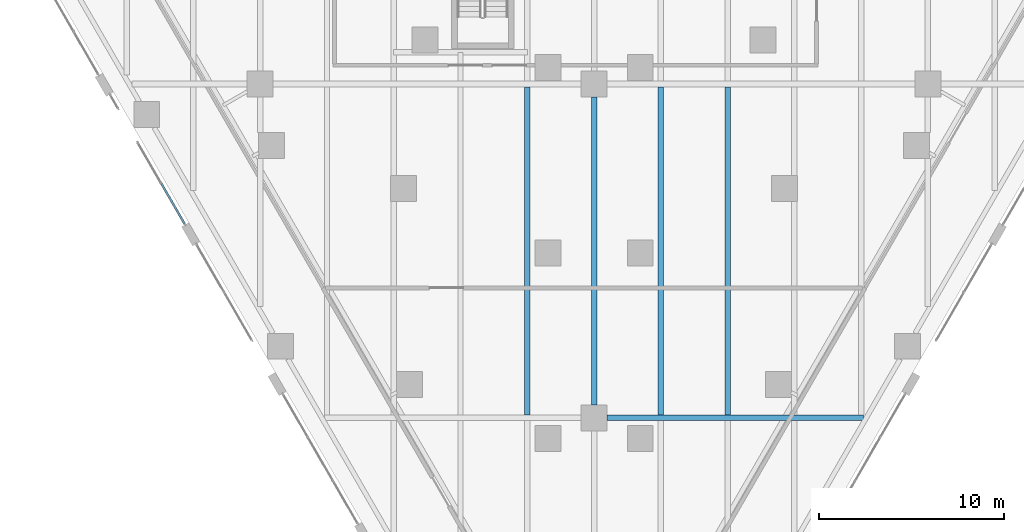
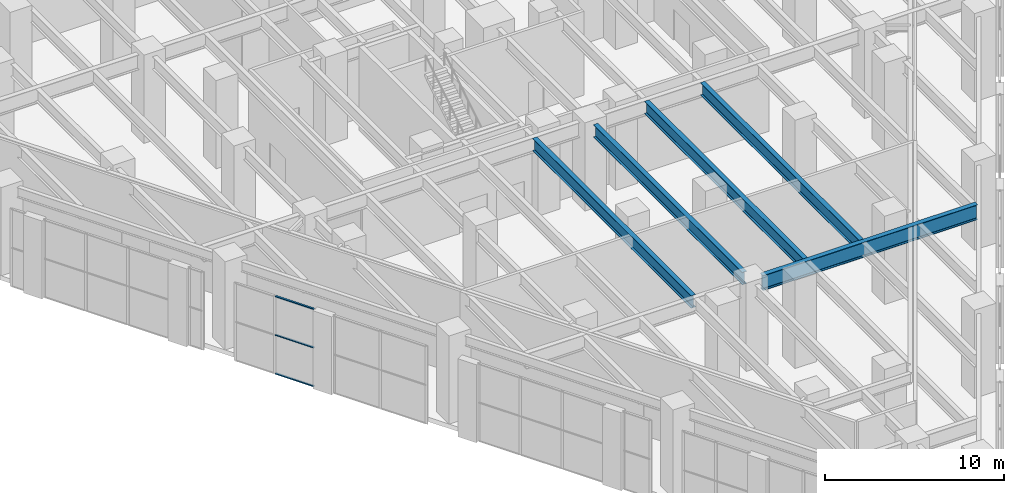
# One storey, part 5 of 37: 5 beams, 3 members, 1 element without a shape of its own.
"""IFC4 building model written with IfcOpenShell, lengths in metres."""

from ifc_helpers import new_model, si_unit, direction, frame, origin, origin_2d, place, context, subcontext, project, spatial, rectangle, i_section, extrude, material, material_profile, profile_set, type_object, element, aggregate, save


model = new_model("IFC4")

# Units and contexts
model_context = context("Model", 3, precision=1e-05, world=origin(), true_north=direction((0.0, 1.0)))
body_context = subcontext(model_context, "Body", "Model", "MODEL_VIEW")
ifc_project = project(units=[si_unit("LENGTHUNIT", "METRE"), si_unit("AREAUNIT", "SQUARE_METRE"), si_unit("VOLUMEUNIT", "CUBIC_METRE"), si_unit("PLANEANGLEUNIT", "RADIAN"), si_unit("MASSUNIT", "GRAM", prefix="KILO")], contexts=[model_context])

# Site, building, storey
site_placement = place(None, origin())
site = spatial("IfcSite", under=ifc_project, at=site_placement, CompositionType="ELEMENT")
building_placement = place(site_placement, origin())
building = spatial("IfcBuilding", under=site, at=building_placement, Name="Aloe Facet Convention Tower", CompositionType="ELEMENT")
storey_placement = place(building_placement, frame((0.0, 0.0, 7.5)))
storey = spatial("IfcBuildingStorey", under=building, at=storey_placement, Name="L01", CompositionType="ELEMENT", Elevation=7.5)

# Curtain wall, members
ifc_material_1 = material(Name="Aluminium, anodised", Category="aluminium")
curtain_wall_type = type_object("IfcCurtainWallType", Name="EV-CW-SHOP", PredefinedType="USERDEFINED", material=ifc_material_1)
curtain_wall_placement = place(storey_placement, origin())
curtain_wall = element("IfcCurtainWall", 1, at=curtain_wall_placement, inside=storey, type_object=curtain_wall_type, Name="CW-L01-W14-2", ObjectType="STICK SHOPFRONT GLAZING", PredefinedType="USERDEFINED")
ifc_material_2 = material(Name="Aluminium, anodised", Category="aluminium")
ifc_material_profile_1 = material_profile(ifc_material_2, rectangle(XDim=0.1201171875, YDim=0.06005859375, at=origin_2d()), Name="AL 120x60")
ifc_profile_set_1 = profile_set([ifc_material_profile_1], Name="Aluminium, anodised")
member_type = type_object("IfcMemberType", Name="EV-TRAN-SHOP", PredefinedType="USERDEFINED", material=ifc_profile_set_1)
member_1_placement = place(storey_placement, frame((56.6796875, 75.6123046875, -0.27001953125), z_axis=(0.50001729717, -0.866015417028, 0.0), x_axis=(0.866015417028, 0.50001729717, 0.0)))
member_1 = element("IfcMember", 2, at=member_1_placement, type_object=member_type, Name="CW-L01-W14-2 transom 2.1", ObjectType="TRANSOM", PredefinedType="USERDEFINED", context=body_context, shape_type="SweptSolid", body=[
    extrude(rectangle(XDim=0.1201171875, YDim=0.06005859375, at=origin_2d()), origin(), (0.0, 0.0, 1.0), 2.48486328125),
])
member_2_placement = place(storey_placement, frame((56.6796875, 75.6123046875, 2.356201171875), z_axis=(0.50001729717, -0.866015417028, 0.0), x_axis=(0.866015417028, 0.50001729717, 0.0)))
member_2 = element("IfcMember", 3, at=member_2_placement, type_object=member_type, Name="CW-L01-W14-2 transom 2.2", ObjectType="TRANSOM", PredefinedType="USERDEFINED", context=body_context, shape_type="SweptSolid", body=[
    extrude(rectangle(XDim=0.1201171875, YDim=0.06005859375, at=origin_2d()), origin(), (0.0, 0.0, 1.0), 2.48486328125),
])
member_3_placement = place(storey_placement, frame((56.6796875, 75.6123046875, 4.982421875), z_axis=(0.50001729717, -0.866015417028, 0.0), x_axis=(0.866015417028, 0.50001729717, 0.0)))
member_3 = element("IfcMember", 4, at=member_3_placement, type_object=member_type, Name="CW-L01-W14-2 transom 2.3", ObjectType="TRANSOM", PredefinedType="USERDEFINED", context=body_context, shape_type="SweptSolid", body=[
    extrude(rectangle(XDim=0.1201171875, YDim=0.06005859375, at=origin_2d()), origin(), (0.0, 0.0, 1.0), 2.48486328125),
])
aggregate(curtain_wall, [member_1, member_2, member_3])

# Beams
ifc_material_3 = material(Name="Steel S355", Category="steel")
ifc_material_profile_2 = material_profile(ifc_material_3, i_section(OverallWidth=0.305419921875, OverallDepth=1.02587890625, WebThickness=0.02001953125, FlangeThickness=0.031005859375, FilletRadius=0.030029296875, at=origin_2d()), Name="UB 1016x305x349")
ifc_profile_set_2 = profile_set([ifc_material_profile_2], Name="Steel S355")
beam_type_1 = type_object("IfcBeamType", Name="SF-B-UB1016x305x349", PredefinedType="BEAM", material=ifc_profile_set_2)
beam_1_placement = place(storey_placement, frame((80.699951171875, 63.0, 5.18701171875), z_axis=(1.0, 0.0, 0.0), x_axis=(0.0, 1.0, 0.0)))
element("IfcBeam", 5, at=beam_1_placement, inside=storey, type_object=beam_type_1, Name="Floor beam FB-L02-041", PredefinedType="BEAM", context=body_context, shape_type="SweptSolid", body=[
    extrude(i_section(OverallWidth=0.305419921875, OverallDepth=1.02587890625, WebThickness=0.02001953125, FlangeThickness=0.031005859375, FilletRadius=0.030029296875, at=origin_2d()), origin(), (0.0, 0.0, 1.0), 13.824951171875),
])
ifc_material_4 = material(Name="Steel S355", Category="steel")
ifc_material_profile_3 = material_profile(ifc_material_4, i_section(OverallWidth=0.293701171875, OverallDepth=0.850830078125, WebThickness=0.01611328125, FlangeThickness=0.02685546875, FilletRadius=0.017822265625, at=origin_2d()), Name="UB 838x292x226")
ifc_profile_set_3 = profile_set([ifc_material_profile_3], Name="Steel S355")
beam_type_2 = type_object("IfcBeamType", Name="SF-B-UB838x292x226", PredefinedType="BEAM", material=ifc_profile_set_3)
beam_2_placement = place(storey_placement, frame((76.39990234375, 63.152587890625, 5.2744140625), z_axis=(0.0, 1.0, 0.0), x_axis=(-1.0, 0.0, 0.0)))
element("IfcBeam", 6, at=beam_2_placement, inside=storey, type_object=beam_type_2, Name="Floor beam FB-L02-103", PredefinedType="BEAM", context=body_context, shape_type="SweptSolid", body=[
    extrude(i_section(OverallWidth=0.293701171875, OverallDepth=0.850830078125, WebThickness=0.01611328125, FlangeThickness=0.02685546875, FilletRadius=0.017822265625, at=origin_2d()), origin(), (0.0, 0.0, 1.0), 17.69482421875),
])
beam_3_placement = place(storey_placement, frame((80.0, 63.699951171875, 5.2744140625), z_axis=(0.0, 1.0, 0.0), x_axis=(-1.0, 0.0, 0.0)))
element("IfcBeam", 7, at=beam_3_placement, inside=storey, type_object=beam_type_2, Name="Floor beam FB-L02-110", PredefinedType="BEAM", context=body_context, shape_type="SweptSolid", body=[
    extrude(i_section(OverallWidth=0.293701171875, OverallDepth=0.850830078125, WebThickness=0.01611328125, FlangeThickness=0.02685546875, FilletRadius=0.017822265625, at=origin_2d()), origin(), (0.0, 0.0, 1.0), 16.60009765625),
])
for number, where, z_axis, x_axis, name in (
    (8, (83.60009765625, 63.152587890625, 5.2744140625), (0.0, 1.0, 0.0), (-1.0, 0.0, 0.0), "Floor beam FB-L02-116"),
    (9, (87.199951171875, 63.152587890625, 5.2744140625), (0.0, 1.0, 0.0), (-1.0, 0.0, 0.0), "Floor beam FB-L02-122"),
):
    element("IfcBeam", number, at=place(storey_placement, frame(where, z_axis=z_axis, x_axis=x_axis)), inside=storey, type_object=beam_type_2, Name=name, PredefinedType="BEAM", context=body_context, shape_type="SweptSolid", body=[
        extrude(i_section(OverallWidth=0.293701171875, OverallDepth=0.850830078125, WebThickness=0.01611328125, FlangeThickness=0.02685546875, FilletRadius=0.017822265625, at=origin_2d()), origin(), (0.0, 0.0, 1.0), 17.69482421875),
    ])

save(model, "model.ifc")
